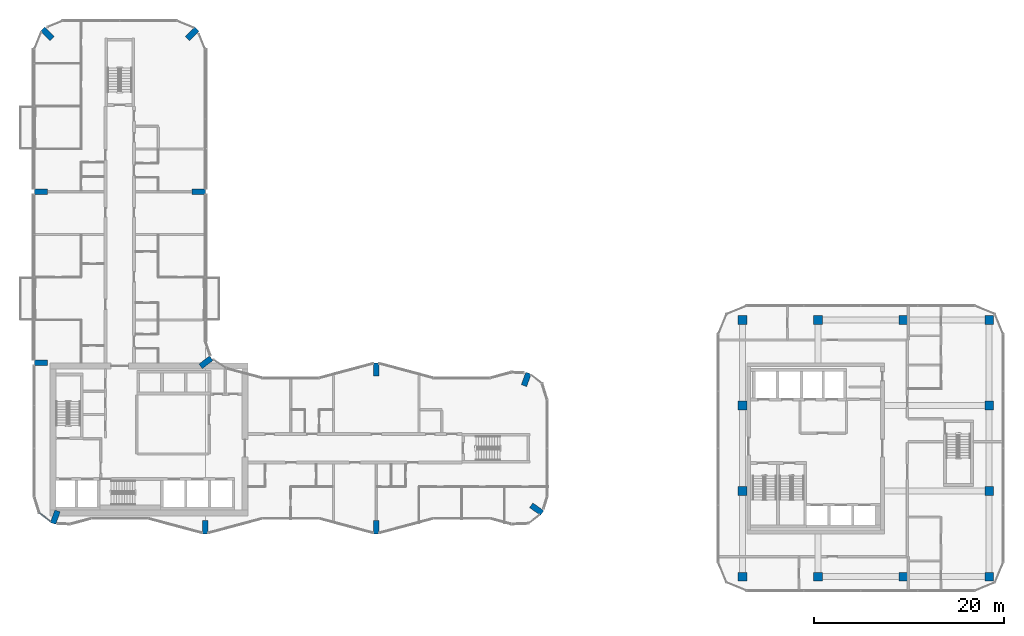
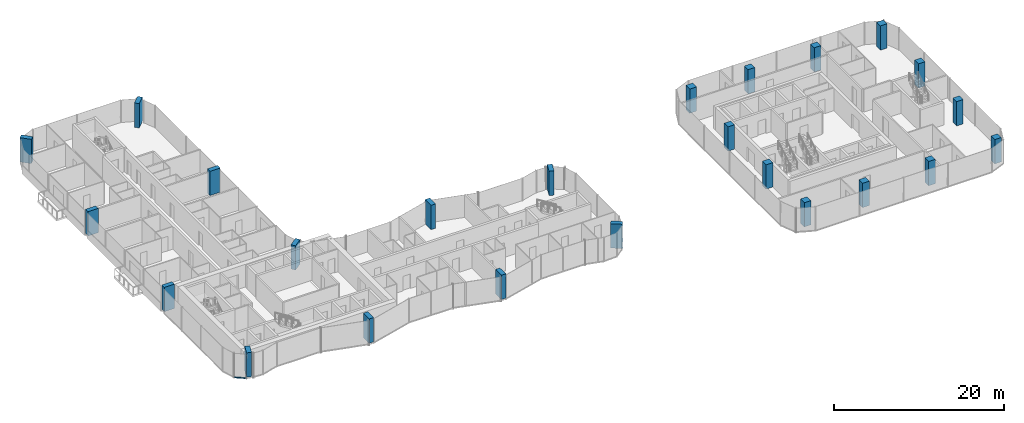
# One storey, part 1 of 22: 24 columns, 1 member, 1 element without a shape of its own.
"""IFC4 building model written with IfcOpenShell, lengths in metres."""

from ifc_helpers import new_model, si_unit, direction, frame, origin, origin_2d, place, context, subcontext, project, spatial, rectangle, extrude, material, layer, layer_set, material_profile, profile_set, type_object, element, aggregate, save


model = new_model("IFC4")

# Units and contexts
model_context = context("Model", 3, precision=1e-05, world=origin(), true_north=direction((0.0, 1.0)))
body_context = subcontext(model_context, "Body", "Model", "MODEL_VIEW")
ifc_project = project(units=[si_unit("LENGTHUNIT", "METRE"), si_unit("AREAUNIT", "SQUARE_METRE"), si_unit("VOLUMEUNIT", "CUBIC_METRE"), si_unit("PLANEANGLEUNIT", "RADIAN"), si_unit("MASSUNIT", "GRAM", prefix="KILO")], contexts=[model_context])

# Site, building, storey
site_placement = place(None, origin())
site = spatial("IfcSite", under=ifc_project, at=site_placement, CompositionType="ELEMENT")
building_placement = place(site_placement, origin())
building = spatial("IfcBuilding", under=site, at=building_placement, Name="Plateau Cross Towers", CompositionType="ELEMENT")
storey_placement = place(building_placement, frame((0.0, 0.0, 109.800048828125)))
storey = spatial("IfcBuildingStorey", under=building, at=storey_placement, Name="L28", CompositionType="ELEMENT", Elevation=109.800048828125)

# Columns
ifc_material_1 = material(Name="Concrete C60/75", Category="concrete")
ifc_material_profile_1 = material_profile(ifc_material_1, rectangle(XDim=0.60009765625, YDim=1.39990234375, at=origin_2d()), Name="RC 600x1400")
ifc_profile_set_1 = profile_set([ifc_material_profile_1], Name="Concrete C60/75")
column_type_1 = type_object("IfcColumnType", Name="Fin pier column RC 600x1400", PredefinedType="COLUMN", material=ifc_profile_set_1)
for number, where, z_axis, x_axis, name in (
    (1, (18.0, 0.699951171875, 0.0), (0.0, 0.0, 1.0), (1.0, 0.0, 0.0), "PR1 L28"),
    (2, (36.0, 0.699951171875, 0.0), (0.0, 0.0, 1.0), (1.0, 0.0, 0.0), "PR2 L28"),
    (3, (52.884033203125, 2.590087890625, 0.0), (0.0, 0.0, 1.0), (0.573542637991, 0.819175709117, 0.0), "PR3 L28"),
    (4, (51.786865234375, 16.251953125, 0.0), (0.0, 0.0, 1.0), (-0.939664280925, 0.342097996418, 0.0), "PR4 L28"),
    (5, (36.0, 17.300048828125, 0.0), (0.0, 0.0, 1.0), (1.0, 0.0, 0.0), "PR5 L28"),
    (6, (18.064697265625, 18.049560546875, 0.0), (0.0, 0.0, 1.0), (-0.608810846443, 0.793315418515, 0.0), "PR6 L28"),
    (7, (17.300048828125, 36.0, 0.0), (0.0, 0.0, 1.0), (0.0, 1.0, 0.0), "PR7 L28"),
    (8, (16.62646484375, 52.62646484375, 0.0), (0.0, 0.0, 1.0), (-0.707106781187, 0.707106781187, 0.0), "PR8 L28"),
    (9, (1.37353515625, 52.62646484375, 0.0), (0.0, 0.0, 1.0), (0.707106781187, 0.707106781187, 0.0), "PR9 L28"),
    (10, (0.699951171875, 36.0, 0.0), (0.0, 0.0, 1.0), (0.0, 1.0, 0.0), "PR10 L28"),
    (11, (0.699951171875, 18.0, 0.0), (0.0, 0.0, 1.0), (0.0, 1.0, 0.0), "PR11 L28"),
    (12, (2.213134765625, 1.748046875, 0.0), (0.0, 0.0, 1.0), (-0.939664280925, 0.342097996418, 0.0), "PR12 L28"),
):
    element("IfcColumn", number, at=place(storey_placement, frame(where, z_axis=z_axis, x_axis=x_axis)), inside=storey, type_object=column_type_1, Name=name, PredefinedType="COLUMN", context=body_context, shape_type="SweptSolid", body=[
        extrude(rectangle(XDim=0.60009765625, YDim=1.39990234375, at=origin_2d()), origin(), (0.0, 0.0, 1.0), 3.5),
    ])
ifc_material_profile_2 = material_profile(ifc_material_1, rectangle(XDim=0.89990234375, YDim=0.89990234375, at=origin_2d()), Name="RC 900x900")
ifc_profile_set_2 = profile_set([ifc_material_profile_2], Name="Concrete C60/75")
column_type_2 = type_object("IfcColumnType", Name="Office column RC 900x900", PredefinedType="COLUMN", material=ifc_profile_set_2)
for number, where, z_axis, x_axis, name in (
    (13, (74.550048828125, -4.5, 0.0), (0.0, 0.0, 1.0), (1.0, 0.0, 0.0), "B-C746_-45 L28"),
    (14, (82.5, -4.5, 0.0), (0.0, 0.0, 1.0), (1.0, 0.0, 0.0), "B-C825_-45 L28"),
    (15, (91.5, -4.5, 0.0), (0.0, 0.0, 1.0), (1.0, 0.0, 0.0), "B-C915_-45 L28"),
    (16, (100.5, -4.5, 0.0), (0.0, 0.0, 1.0), (1.0, 0.0, 0.0), "B-C1005_-45 L28"),
    (17, (100.5, 4.5, 0.0), (0.0, 0.0, 1.0), (1.0, 0.0, 0.0), "B-C1005_45 L28"),
    (18, (100.5, 13.5, 0.0), (0.0, 0.0, 1.0), (1.0, 0.0, 0.0), "B-C1005_135 L28"),
    (19, (100.5, 22.5, 0.0), (0.0, 0.0, 1.0), (1.0, 0.0, 0.0), "B-C1005_225 L28"),
    (20, (91.5, 22.5, 0.0), (0.0, 0.0, 1.0), (1.0, 0.0, 0.0), "B-C915_225 L28"),
    (21, (82.5, 22.5, 0.0), (0.0, 0.0, 1.0), (1.0, 0.0, 0.0), "B-C825_225 L28"),
    (22, (74.550048828125, 22.5, 0.0), (0.0, 0.0, 1.0), (1.0, 0.0, 0.0), "B-C746_225 L28"),
    (23, (74.550048828125, 13.5, 0.0), (0.0, 0.0, 1.0), (1.0, 0.0, 0.0), "B-C746_135 L28"),
    (24, (74.550048828125, 4.5, 0.0), (0.0, 0.0, 1.0), (1.0, 0.0, 0.0), "B-C746_45 L28"),
):
    element("IfcColumn", number, at=place(storey_placement, frame(where, z_axis=z_axis, x_axis=x_axis)), inside=storey, type_object=column_type_2, Name=name, PredefinedType="COLUMN", context=body_context, shape_type="SweptSolid", body=[
        extrude(rectangle(XDim=0.89990234375, YDim=0.89990234375, at=origin_2d()), origin(), (0.0, 0.0, 1.0), 3.5),
    ])

# Curtain wall, member
ifc_material_2 = material(Name="Dark low-iron glass", Category="glass")
ifc_layer = layer(ifc_material_2, 0.239990234375)
ifc_layer_set = layer_set([ifc_layer], Name="Dark low-iron glass")
curtain_wall_type = type_object("IfcCurtainWallType", Name="Curtain wall flush unitised CW-B", PredefinedType="NOTDEFINED", material=ifc_layer_set)
curtain_wall_placement = place(storey_placement, origin())
curtain_wall = element("IfcCurtainWall", 25, at=curtain_wall_placement, inside=storey, type_object=curtain_wall_type, Name="ENV/A/L28/A5_22", PredefinedType="NOTDEFINED")
ifc_material_3 = material(Name="Black anodised aluminium", Category="aluminium")
ifc_material_profile_3 = material_profile(ifc_material_3, rectangle(XDim=0.10009765625, YDim=0.1201171875, at=origin_2d()), Name="TRANSOM 100x120")
ifc_profile_set_3 = profile_set([ifc_material_profile_3], Name="Black anodised aluminium")
member_type = type_object("IfcMemberType", Name="Transom 100x120 flush unitised", PredefinedType="USERDEFINED", material=ifc_profile_set_3)
member_placement = place(storey_placement, frame((0.54248046875, 2.1884765625, -0.18994140625), z_axis=(0.793320508571, -0.608804213751, 0.0), x_axis=(0.608804213751, 0.793320508571, 0.0)))
member = element("IfcMember", 26, at=member_placement, type_object=member_type, Name="CW-B transom", ObjectType="TRANSOM", PredefinedType="USERDEFINED", context=body_context, shape_type="SweptSolid", body=[
    extrude(rectangle(XDim=0.10009765625, YDim=0.1201171875, at=origin_2d()), origin(), (0.0, 0.0, 1.0), 1.471435546875),
])
aggregate(curtain_wall, [member])

save(model, "model.ifc")
